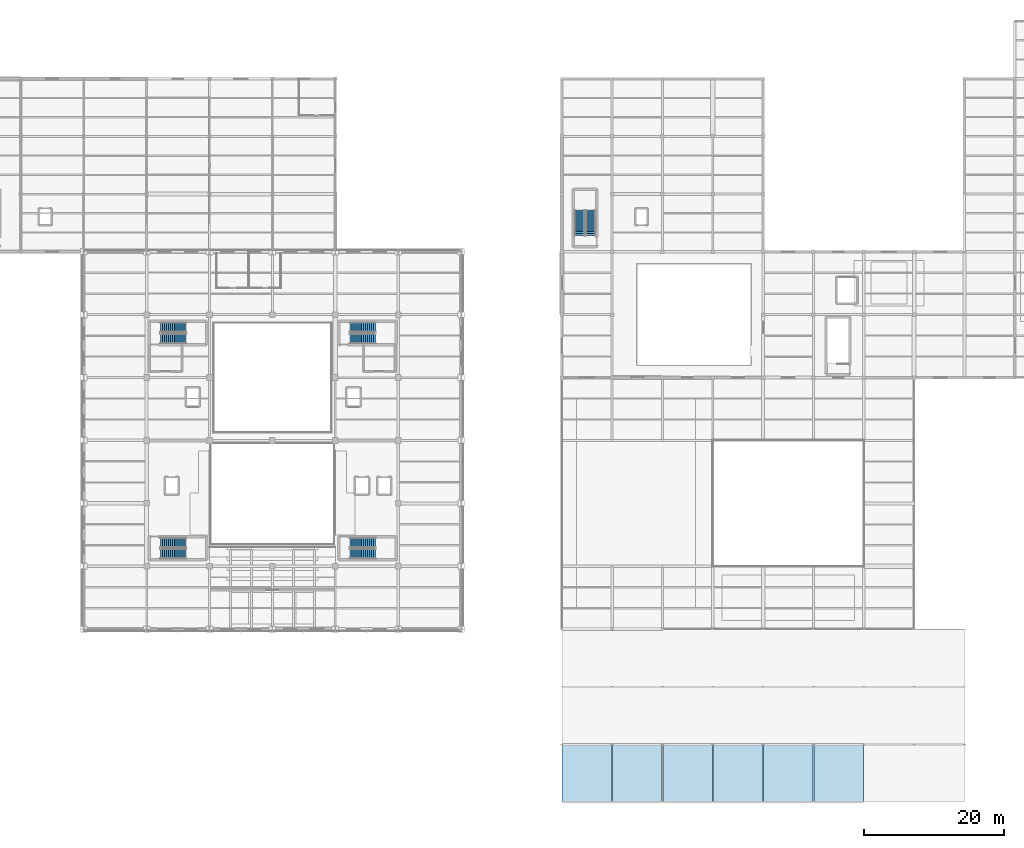
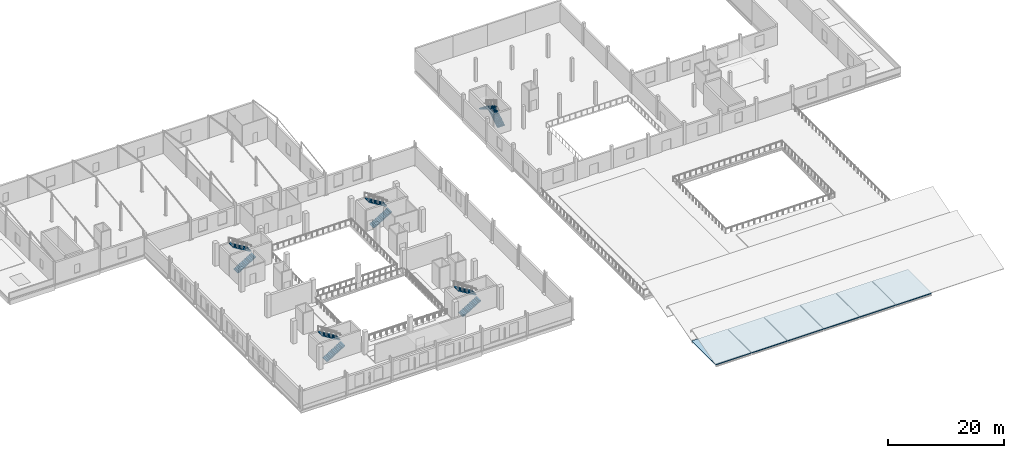
# One storey, part 39 of 54: 10 stair flights, 6 roofs, 5 elements without a shape of their own.
"""IFC4 building model written with IfcOpenShell, lengths in metres."""

from ifc_helpers import new_model, si_unit, direction, frame, origin, origin_2d, place, context, subcontext, project, spatial, polyline, rectangle, outline, extrude, material, layer, layer_set, type_object, element, aggregate, save


model = new_model("IFC4")

# Units and contexts
model_context = context("Model", 3, precision=1e-05, world=origin(), true_north=direction((0.0, 1.0)))
body_context = subcontext(model_context, "Body", "Model", "MODEL_VIEW")
ifc_project = project(units=[si_unit("LENGTHUNIT", "METRE"), si_unit("AREAUNIT", "SQUARE_METRE"), si_unit("VOLUMEUNIT", "CUBIC_METRE"), si_unit("PLANEANGLEUNIT", "RADIAN"), si_unit("MASSUNIT", "GRAM", prefix="KILO")], contexts=[model_context])

# Site, building, storey
site_placement = place(None, origin())
site = spatial("IfcSite", under=ifc_project, at=site_placement, CompositionType="ELEMENT")
building_placement = place(site_placement, origin())
building = spatial("IfcBuilding", under=site, at=building_placement, Name="Sundgate Opera House", CompositionType="ELEMENT")
storey_placement = place(building_placement, frame((0.0, 0.0, 16.800048828125)))
storey = spatial("IfcBuildingStorey", under=building, at=storey_placement, Name="L03", CompositionType="ELEMENT", Elevation=16.800048828125)

# Stair, stair flights
ifc_material_1 = material(Name="Concrete C35/45", Category="concrete")
stair_type = type_object("IfcStairType", Name="ST-HT-28R-1450", PredefinedType="HALF_TURN_STAIR", material=ifc_material_1)
stair_1_placement = place(storey_placement, origin())
stair_1 = element("IfcStair", 1, at=stair_1_placement, inside=storey, type_object=stair_type, Name="L03 Escape Stair ST-01", PredefinedType="HALF_TURN_STAIR")
ifc_material_2 = material(Name="Concrete C35/45", Category="concrete")
stair_flight_type = type_object("IfcStairFlightType", Name="SF-STR-14R-1450", PredefinedType="STRAIGHT", material=ifc_material_2)
stair_flight_1_placement = place(storey_placement, frame((38.0, 43.77490234375, 0.0), z_axis=(0.0, 0.0, 1.0), x_axis=(1.0, 0.0, 0.0)))
stair_flight_1 = element("IfcStairFlight", 2, at=stair_flight_1_placement, type_object=stair_flight_type, Name="ST01L03 Flight 1", NumberOfRisers=14, NumberOfTreads=13, PredefinedType="STRAIGHT", RiserHeight=0.171428571, TreadLength=0.28, context=body_context, shape_type="SweptSolid", body=[
    extrude(outline(polyline([(0.0, 0.0), (0.0, 0.17138671875), (0.280029296875, 0.17138671875), (0.280029296875, 0.3427734375), (0.56005859375, 0.3427734375), (0.56005859375, 0.514404296875), (0.840087890625, 0.514404296875), (0.840087890625, 0.685791015625), (1.1201171875, 0.685791015625), (1.1201171875, 0.857177734375), (1.39990234375, 0.857177734375), (1.39990234375, 1.028564453125), (1.679931640625, 1.028564453125), (1.679931640625, 1.199951171875), (1.9599609375, 1.199951171875), (1.9599609375, 1.371337890625), (2.239990234375, 1.371337890625), (2.239990234375, 1.54296875), (2.52001953125, 1.54296875), (2.52001953125, 1.71435546875), (2.800048828125, 1.71435546875), (2.800048828125, 1.8857421875), (3.080078125, 1.8857421875), (3.080078125, 2.05712890625), (3.360107421875, 2.05712890625), (3.360107421875, 2.228515625), (3.639892578125, 2.228515625), (3.639892578125, 2.39990234375), (3.639892578125, 2.052734375), (0.287109375, 0.0), (0.0, 0.0)])), frame((0.0, 0.72509765625, 0.0), z_axis=(0.0, -1.0, 0.0), x_axis=(1.0, 0.0, 0.0)), (0.0, 0.0, 1.0), 1.449951171875),
])
stair_flight_2_placement = place(storey_placement, frame((41.639892578125, 45.375, 2.39990234375), z_axis=(0.0, 0.0, 1.0), x_axis=(-1.0, 0.0, 0.0)))
stair_flight_2 = element("IfcStairFlight", 3, at=stair_flight_2_placement, type_object=stair_flight_type, Name="ST01L03 Flight 2", NumberOfRisers=14, NumberOfTreads=13, PredefinedType="STRAIGHT", RiserHeight=0.171428571, TreadLength=0.28, context=body_context, shape_type="SweptSolid", body=[
    extrude(outline(polyline([(0.0, 0.0), (0.0, 0.17138671875), (0.280029296875, 0.17138671875), (0.280029296875, 0.3427734375), (0.56005859375, 0.3427734375), (0.56005859375, 0.514404296875), (0.840087890625, 0.514404296875), (0.840087890625, 0.685791015625), (1.1201171875, 0.685791015625), (1.1201171875, 0.857177734375), (1.39990234375, 0.857177734375), (1.39990234375, 1.028564453125), (1.679931640625, 1.028564453125), (1.679931640625, 1.199951171875), (1.9599609375, 1.199951171875), (1.9599609375, 1.371337890625), (2.239990234375, 1.371337890625), (2.239990234375, 1.54296875), (2.52001953125, 1.54296875), (2.52001953125, 1.71435546875), (2.800048828125, 1.71435546875), (2.800048828125, 1.8857421875), (3.080078125, 1.8857421875), (3.080078125, 2.05712890625), (3.360107421875, 2.05712890625), (3.360107421875, 2.228515625), (3.639892578125, 2.228515625), (3.639892578125, 2.39990234375), (3.639892578125, 2.052734375), (0.287109375, 0.0), (0.0, 0.0)])), frame((0.0, 0.72509765625, 0.0), z_axis=(0.0, -1.0, 0.0), x_axis=(1.0, 0.0, 0.0)), (0.0, 0.0, 1.0), 1.449951171875),
])
aggregate(stair_1, [stair_flight_1, stair_flight_2])

stair_2_placement = place(storey_placement, origin())
stair_2 = element("IfcStair", 4, at=stair_2_placement, inside=storey, type_object=stair_type, Name="L03 Escape Stair ST-02", PredefinedType="HALF_TURN_STAIR")
stair_flight_3_placement = place(storey_placement, frame((38.0, 74.574951171875, 0.0), z_axis=(0.0, 0.0, 1.0), x_axis=(1.0, 0.0, 0.0)))
stair_flight_3 = element("IfcStairFlight", 5, at=stair_flight_3_placement, type_object=stair_flight_type, Name="ST02L03 Flight 1", NumberOfRisers=14, NumberOfTreads=13, PredefinedType="STRAIGHT", RiserHeight=0.171428571, TreadLength=0.28, context=body_context, shape_type="SweptSolid", body=[
    extrude(outline(polyline([(0.0, 0.0), (0.0, 0.17138671875), (0.280029296875, 0.17138671875), (0.280029296875, 0.3427734375), (0.56005859375, 0.3427734375), (0.56005859375, 0.514404296875), (0.840087890625, 0.514404296875), (0.840087890625, 0.685791015625), (1.1201171875, 0.685791015625), (1.1201171875, 0.857177734375), (1.39990234375, 0.857177734375), (1.39990234375, 1.028564453125), (1.679931640625, 1.028564453125), (1.679931640625, 1.199951171875), (1.9599609375, 1.199951171875), (1.9599609375, 1.371337890625), (2.239990234375, 1.371337890625), (2.239990234375, 1.54296875), (2.52001953125, 1.54296875), (2.52001953125, 1.71435546875), (2.800048828125, 1.71435546875), (2.800048828125, 1.8857421875), (3.080078125, 1.8857421875), (3.080078125, 2.05712890625), (3.360107421875, 2.05712890625), (3.360107421875, 2.228515625), (3.639892578125, 2.228515625), (3.639892578125, 2.39990234375), (3.639892578125, 2.052734375), (0.287109375, 0.0), (0.0, 0.0)])), frame((0.0, 0.72509765625, 0.0), z_axis=(0.0, -1.0, 0.0), x_axis=(1.0, 0.0, 0.0)), (0.0, 0.0, 1.0), 1.449951171875),
])
stair_flight_4_placement = place(storey_placement, frame((41.639892578125, 76.175048828125, 2.39990234375), z_axis=(0.0, 0.0, 1.0), x_axis=(-1.0, 0.0, 0.0)))
stair_flight_4 = element("IfcStairFlight", 6, at=stair_flight_4_placement, type_object=stair_flight_type, Name="ST02L03 Flight 2", NumberOfRisers=14, NumberOfTreads=13, PredefinedType="STRAIGHT", RiserHeight=0.171428571, TreadLength=0.28, context=body_context, shape_type="SweptSolid", body=[
    extrude(outline(polyline([(0.0, 0.0), (0.0, 0.17138671875), (0.280029296875, 0.17138671875), (0.280029296875, 0.3427734375), (0.56005859375, 0.3427734375), (0.56005859375, 0.514404296875), (0.840087890625, 0.514404296875), (0.840087890625, 0.685791015625), (1.1201171875, 0.685791015625), (1.1201171875, 0.857177734375), (1.39990234375, 0.857177734375), (1.39990234375, 1.028564453125), (1.679931640625, 1.028564453125), (1.679931640625, 1.199951171875), (1.9599609375, 1.199951171875), (1.9599609375, 1.371337890625), (2.239990234375, 1.371337890625), (2.239990234375, 1.54296875), (2.52001953125, 1.54296875), (2.52001953125, 1.71435546875), (2.800048828125, 1.71435546875), (2.800048828125, 1.8857421875), (3.080078125, 1.8857421875), (3.080078125, 2.05712890625), (3.360107421875, 2.05712890625), (3.360107421875, 2.228515625), (3.639892578125, 2.228515625), (3.639892578125, 2.39990234375), (3.639892578125, 2.052734375), (0.287109375, 0.0), (0.0, 0.0)])), frame((0.0, 0.72509765625, 0.0), z_axis=(0.0, -1.0, 0.0), x_axis=(1.0, 0.0, 0.0)), (0.0, 0.0, 1.0), 1.449951171875),
])
aggregate(stair_2, [stair_flight_3, stair_flight_4])

stair_3_placement = place(storey_placement, origin())
stair_3 = element("IfcStair", 7, at=stair_3_placement, inside=storey, type_object=stair_type, Name="L03 Escape Stair ST-03", PredefinedType="HALF_TURN_STAIR")
stair_flight_5_placement = place(storey_placement, frame((65.10009765625, 43.77490234375, 0.0), z_axis=(0.0, 0.0, 1.0), x_axis=(1.0, 0.0, 0.0)))
stair_flight_5 = element("IfcStairFlight", 8, at=stair_flight_5_placement, type_object=stair_flight_type, Name="ST03L03 Flight 1", NumberOfRisers=14, NumberOfTreads=13, PredefinedType="STRAIGHT", RiserHeight=0.171428571, TreadLength=0.28, context=body_context, shape_type="SweptSolid", body=[
    extrude(outline(polyline([(0.0, 0.0), (0.0, 0.17138671875), (0.280029296875, 0.17138671875), (0.280029296875, 0.3427734375), (0.56005859375, 0.3427734375), (0.56005859375, 0.514404296875), (0.840087890625, 0.514404296875), (0.840087890625, 0.685791015625), (1.1201171875, 0.685791015625), (1.1201171875, 0.857177734375), (1.39990234375, 0.857177734375), (1.39990234375, 1.028564453125), (1.679931640625, 1.028564453125), (1.679931640625, 1.199951171875), (1.9599609375, 1.199951171875), (1.9599609375, 1.371337890625), (2.239990234375, 1.371337890625), (2.239990234375, 1.54296875), (2.52001953125, 1.54296875), (2.52001953125, 1.71435546875), (2.800048828125, 1.71435546875), (2.800048828125, 1.8857421875), (3.080078125, 1.8857421875), (3.080078125, 2.05712890625), (3.360107421875, 2.05712890625), (3.360107421875, 2.228515625), (3.639892578125, 2.228515625), (3.639892578125, 2.39990234375), (3.639892578125, 2.052734375), (0.287109375, 0.0), (0.0, 0.0)])), frame((0.0, 0.72509765625, 0.0), z_axis=(0.0, -1.0, 0.0), x_axis=(1.0, 0.0, 0.0)), (0.0, 0.0, 1.0), 1.449951171875),
])
stair_flight_6_placement = place(storey_placement, frame((68.739990234375, 45.375, 2.39990234375), z_axis=(0.0, 0.0, 1.0), x_axis=(-1.0, 0.0, 0.0)))
stair_flight_6 = element("IfcStairFlight", 9, at=stair_flight_6_placement, type_object=stair_flight_type, Name="ST03L03 Flight 2", NumberOfRisers=14, NumberOfTreads=13, PredefinedType="STRAIGHT", RiserHeight=0.171428571, TreadLength=0.28, context=body_context, shape_type="SweptSolid", body=[
    extrude(outline(polyline([(0.0, 0.0), (0.0, 0.17138671875), (0.280029296875, 0.17138671875), (0.280029296875, 0.3427734375), (0.56005859375, 0.3427734375), (0.56005859375, 0.514404296875), (0.840087890625, 0.514404296875), (0.840087890625, 0.685791015625), (1.1201171875, 0.685791015625), (1.1201171875, 0.857177734375), (1.39990234375, 0.857177734375), (1.39990234375, 1.028564453125), (1.679931640625, 1.028564453125), (1.679931640625, 1.199951171875), (1.9599609375, 1.199951171875), (1.9599609375, 1.371337890625), (2.239990234375, 1.371337890625), (2.239990234375, 1.54296875), (2.52001953125, 1.54296875), (2.52001953125, 1.71435546875), (2.800048828125, 1.71435546875), (2.800048828125, 1.8857421875), (3.080078125, 1.8857421875), (3.080078125, 2.05712890625), (3.360107421875, 2.05712890625), (3.360107421875, 2.228515625), (3.639892578125, 2.228515625), (3.639892578125, 2.39990234375), (3.639892578125, 2.052734375), (0.287109375, 0.0), (0.0, 0.0)])), frame((0.0, 0.72509765625, 0.0), z_axis=(0.0, -1.0, 0.0), x_axis=(1.0, 0.0, 0.0)), (0.0, 0.0, 1.0), 1.449951171875),
])
aggregate(stair_3, [stair_flight_5, stair_flight_6])

stair_4_placement = place(storey_placement, origin())
stair_4 = element("IfcStair", 10, at=stair_4_placement, inside=storey, type_object=stair_type, Name="L03 Escape Stair ST-04", PredefinedType="HALF_TURN_STAIR")
stair_flight_7_placement = place(storey_placement, frame((65.10009765625, 74.574951171875, 0.0), z_axis=(0.0, 0.0, 1.0), x_axis=(1.0, 0.0, 0.0)))
stair_flight_7 = element("IfcStairFlight", 11, at=stair_flight_7_placement, type_object=stair_flight_type, Name="ST04L03 Flight 1", NumberOfRisers=14, NumberOfTreads=13, PredefinedType="STRAIGHT", RiserHeight=0.171428571, TreadLength=0.28, context=body_context, shape_type="SweptSolid", body=[
    extrude(outline(polyline([(0.0, 0.0), (0.0, 0.17138671875), (0.280029296875, 0.17138671875), (0.280029296875, 0.3427734375), (0.56005859375, 0.3427734375), (0.56005859375, 0.514404296875), (0.840087890625, 0.514404296875), (0.840087890625, 0.685791015625), (1.1201171875, 0.685791015625), (1.1201171875, 0.857177734375), (1.39990234375, 0.857177734375), (1.39990234375, 1.028564453125), (1.679931640625, 1.028564453125), (1.679931640625, 1.199951171875), (1.9599609375, 1.199951171875), (1.9599609375, 1.371337890625), (2.239990234375, 1.371337890625), (2.239990234375, 1.54296875), (2.52001953125, 1.54296875), (2.52001953125, 1.71435546875), (2.800048828125, 1.71435546875), (2.800048828125, 1.8857421875), (3.080078125, 1.8857421875), (3.080078125, 2.05712890625), (3.360107421875, 2.05712890625), (3.360107421875, 2.228515625), (3.639892578125, 2.228515625), (3.639892578125, 2.39990234375), (3.639892578125, 2.052734375), (0.287109375, 0.0), (0.0, 0.0)])), frame((0.0, 0.72509765625, 0.0), z_axis=(0.0, -1.0, 0.0), x_axis=(1.0, 0.0, 0.0)), (0.0, 0.0, 1.0), 1.449951171875),
])
stair_flight_8_placement = place(storey_placement, frame((68.739990234375, 76.175048828125, 2.39990234375), z_axis=(0.0, 0.0, 1.0), x_axis=(-1.0, 0.0, 0.0)))
stair_flight_8 = element("IfcStairFlight", 12, at=stair_flight_8_placement, type_object=stair_flight_type, Name="ST04L03 Flight 2", NumberOfRisers=14, NumberOfTreads=13, PredefinedType="STRAIGHT", RiserHeight=0.171428571, TreadLength=0.28, context=body_context, shape_type="SweptSolid", body=[
    extrude(outline(polyline([(0.0, 0.0), (0.0, 0.17138671875), (0.280029296875, 0.17138671875), (0.280029296875, 0.3427734375), (0.56005859375, 0.3427734375), (0.56005859375, 0.514404296875), (0.840087890625, 0.514404296875), (0.840087890625, 0.685791015625), (1.1201171875, 0.685791015625), (1.1201171875, 0.857177734375), (1.39990234375, 0.857177734375), (1.39990234375, 1.028564453125), (1.679931640625, 1.028564453125), (1.679931640625, 1.199951171875), (1.9599609375, 1.199951171875), (1.9599609375, 1.371337890625), (2.239990234375, 1.371337890625), (2.239990234375, 1.54296875), (2.52001953125, 1.54296875), (2.52001953125, 1.71435546875), (2.800048828125, 1.71435546875), (2.800048828125, 1.8857421875), (3.080078125, 1.8857421875), (3.080078125, 2.05712890625), (3.360107421875, 2.05712890625), (3.360107421875, 2.228515625), (3.639892578125, 2.228515625), (3.639892578125, 2.39990234375), (3.639892578125, 2.052734375), (0.287109375, 0.0), (0.0, 0.0)])), frame((0.0, 0.72509765625, 0.0), z_axis=(0.0, -1.0, 0.0), x_axis=(1.0, 0.0, 0.0)), (0.0, 0.0, 1.0), 1.449951171875),
])
aggregate(stair_4, [stair_flight_7, stair_flight_8])

stair_5_placement = place(storey_placement, origin())
stair_5 = element("IfcStair", 13, at=stair_5_placement, inside=storey, type_object=stair_type, Name="L03 Escape Stair ST-05", PredefinedType="HALF_TURN_STAIR")
stair_flight_9_placement = place(storey_placement, frame((99.52490234375, 89.300048828125, 0.0), z_axis=(0.0, 0.0, 1.0), x_axis=(0.0, 1.0, 0.0)))
stair_flight_9 = element("IfcStairFlight", 14, at=stair_flight_9_placement, type_object=stair_flight_type, Name="ST05L03 Flight 1", NumberOfRisers=14, NumberOfTreads=13, PredefinedType="STRAIGHT", RiserHeight=0.171428571, TreadLength=0.28, context=body_context, shape_type="SweptSolid", body=[
    extrude(outline(polyline([(0.0, 0.0), (0.0, 0.17138671875), (0.280029296875, 0.17138671875), (0.280029296875, 0.3427734375), (0.56005859375, 0.3427734375), (0.56005859375, 0.514404296875), (0.840087890625, 0.514404296875), (0.840087890625, 0.685791015625), (1.1201171875, 0.685791015625), (1.1201171875, 0.857177734375), (1.39990234375, 0.857177734375), (1.39990234375, 1.028564453125), (1.679931640625, 1.028564453125), (1.679931640625, 1.199951171875), (1.9599609375, 1.199951171875), (1.9599609375, 1.371337890625), (2.239990234375, 1.371337890625), (2.239990234375, 1.54296875), (2.52001953125, 1.54296875), (2.52001953125, 1.71435546875), (2.800048828125, 1.71435546875), (2.800048828125, 1.8857421875), (3.080078125, 1.8857421875), (3.080078125, 2.05712890625), (3.360107421875, 2.05712890625), (3.360107421875, 2.228515625), (3.639892578125, 2.228515625), (3.639892578125, 2.39990234375), (3.639892578125, 2.052734375), (0.287109375, 0.0), (0.0, 0.0)])), frame((0.0, 0.72509765625, 0.0), z_axis=(0.0, -1.0, 0.0), x_axis=(1.0, 0.0, 0.0)), (0.0, 0.0, 1.0), 1.449951171875),
])
stair_flight_10_placement = place(storey_placement, frame((97.925048828125, 92.93994140625, 2.39990234375), z_axis=(0.0, 0.0, 1.0), x_axis=(0.0, -1.0, 0.0)))
stair_flight_10 = element("IfcStairFlight", 15, at=stair_flight_10_placement, type_object=stair_flight_type, Name="ST05L03 Flight 2", NumberOfRisers=14, NumberOfTreads=13, PredefinedType="STRAIGHT", RiserHeight=0.171428571, TreadLength=0.28, context=body_context, shape_type="SweptSolid", body=[
    extrude(outline(polyline([(0.0, 0.0), (0.0, 0.17138671875), (0.280029296875, 0.17138671875), (0.280029296875, 0.3427734375), (0.56005859375, 0.3427734375), (0.56005859375, 0.514404296875), (0.840087890625, 0.514404296875), (0.840087890625, 0.685791015625), (1.1201171875, 0.685791015625), (1.1201171875, 0.857177734375), (1.39990234375, 0.857177734375), (1.39990234375, 1.028564453125), (1.679931640625, 1.028564453125), (1.679931640625, 1.199951171875), (1.9599609375, 1.199951171875), (1.9599609375, 1.371337890625), (2.239990234375, 1.371337890625), (2.239990234375, 1.54296875), (2.52001953125, 1.54296875), (2.52001953125, 1.71435546875), (2.800048828125, 1.71435546875), (2.800048828125, 1.8857421875), (3.080078125, 1.8857421875), (3.080078125, 2.05712890625), (3.360107421875, 2.05712890625), (3.360107421875, 2.228515625), (3.639892578125, 2.228515625), (3.639892578125, 2.39990234375), (3.639892578125, 2.052734375), (0.287109375, 0.0), (0.0, 0.0)])), frame((0.0, 0.72509765625, 0.0), z_axis=(0.0, -1.0, 0.0), x_axis=(1.0, 0.0, 0.0)), (0.0, 0.0, 1.0), 1.449951171875),
])
aggregate(stair_5, [stair_flight_9, stair_flight_10])

# Roofs
ifc_material_3 = material(Name="Steel S355J2", Category="steel")
ifc_layer = layer(ifc_material_3, 0.169921875)
ifc_layer_set = layer_set([ifc_layer], Name="Steel S355J2")
roof_type = type_object("IfcRoofType", Name="RF-SHED-170", PredefinedType="SHED_ROOF", material=ifc_layer_set)
for number, where, z_axis, x_axis, name in (
    (16, (99.0, 12.375, 0.264892578125), (0.0, 0.0, 1.0), (1.0, 0.0, 0.0), "Workshop Bay 1 Shed Roof Assembly"),
    (17, (106.199951171875, 12.375, 0.264892578125), (0.0, 0.0, 1.0), (1.0, 0.0, 0.0), "Workshop Bay 2 Shed Roof Assembly"),
    (18, (113.39990234375, 12.375, 0.264892578125), (0.0, 0.0, 1.0), (1.0, 0.0, 0.0), "Workshop Bay 3 Shed Roof Assembly"),
    (19, (120.60009765625, 12.375, 0.264892578125), (0.0, 0.0, 1.0), (1.0, 0.0, 0.0), "Workshop Bay 4 Shed Roof Assembly"),
    (20, (127.800048828125, 12.375, 0.264892578125), (0.0, 0.0, 1.0), (1.0, 0.0, 0.0), "Workshop Bay 5 Shed Roof Assembly"),
    (21, (135.0, 12.375, 0.264892578125), (0.0, 0.0, 1.0), (1.0, 0.0, 0.0), "Workshop Bay 6 Shed Roof Assembly"),
):
    element("IfcRoof", number, at=place(storey_placement, frame(where, z_axis=z_axis, x_axis=x_axis)), inside=storey, type_object=roof_type, Name=name, PredefinedType="SHED_ROOF", context=body_context, shape_type="SweptSolid", body=[
        extrude(rectangle(XDim=7.10009765625, YDim=8.25, at=origin_2d()), origin(), (0.0, 0.0, 1.0), 0.169921875),
    ])

save(model, "model.ifc")
